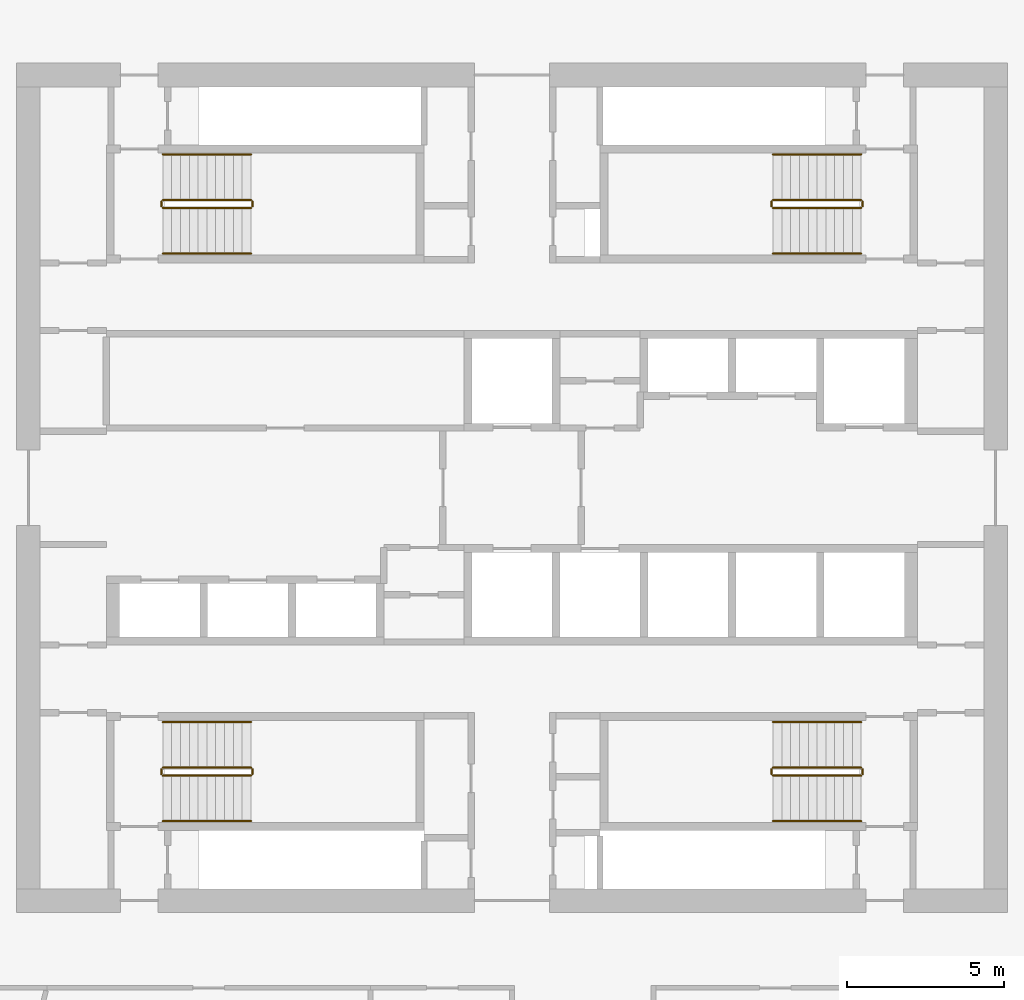
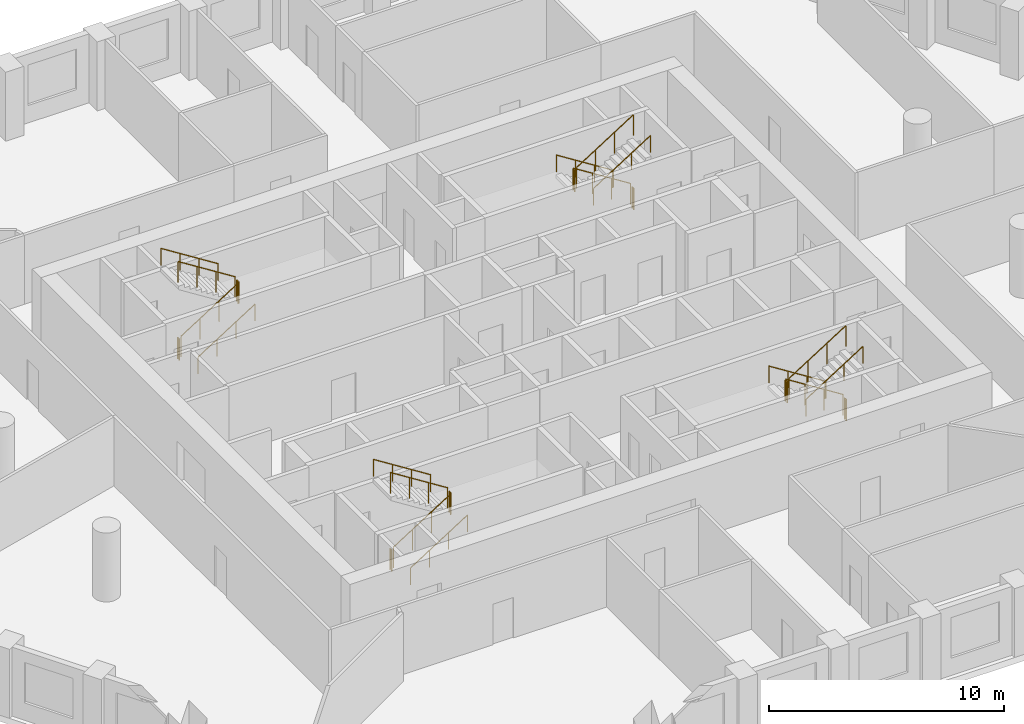
# One storey, part 9 of 9: 24 railings.
"""IFC4 building model written with IfcOpenShell, lengths in metres."""

from ifc_helpers import new_model, si_unit, direction, frame, origin, origin_2d, place, context, subcontext, project, spatial, circle, extrude, material, type_object, element, save


model = new_model("IFC4")

# Units and contexts
model_context = context("Model", 3, precision=1e-05, world=origin(), true_north=direction((0.0, 1.0)))
body_context = subcontext(model_context, "Body", "Model", "MODEL_VIEW")
ifc_project = project(units=[si_unit("LENGTHUNIT", "METRE"), si_unit("AREAUNIT", "SQUARE_METRE"), si_unit("VOLUMEUNIT", "CUBIC_METRE"), si_unit("PLANEANGLEUNIT", "RADIAN"), si_unit("MASSUNIT", "GRAM", prefix="KILO")], contexts=[model_context])

# Site, building, storey
site_placement = place(None, origin())
site = spatial("IfcSite", under=ifc_project, at=site_placement, CompositionType="ELEMENT")
building_placement = place(site_placement, origin())
building = spatial("IfcBuilding", under=site, at=building_placement, Name="Dhurran Vertical Campus", CompositionType="ELEMENT")
storey_placement = place(building_placement, frame((0.0, 0.0, 171.60009765625)))
storey = spatial("IfcBuildingStorey", under=building, at=storey_placement, Name="L42", CompositionType="ELEMENT", Elevation=171.60009765625)

# Railings
ifc_material_1 = material(Name="Stainless steel balustrade", Category="steel")
railing_type_1 = type_object("IfcRailingType", Name="co-RL-GUARD-1100", PredefinedType="GUARDRAIL", material=ifc_material_1)
railing_1_placement = place(storey_placement, frame((-11.10009765625, 8.89990234375, 0.17724609375)))
element("IfcRailing", 1, at=railing_1_placement, inside=storey, type_object=railing_type_1, Name="L42 ST1 stair guard 1", PredefinedType="GUARDRAIL", context=body_context, shape_type="SweptSolid", body=[
    extrude(circle(Radius=0.02392578125, at=origin_2d()), frame((0.0, 0.0, 1.076171875), z_axis=(0.844908973607, 0.0, 0.534910110503), x_axis=(0.0, 1.0, 0.0)), (0.0, 0.0, 1.0), 3.31396484375),
    extrude(circle(Radius=0.02099609375, at=origin_2d()), origin(), (0.0, 0.0, 1.0), 1.052001953125),
    extrude(circle(Radius=0.02099609375, at=origin_2d()), frame((0.933349609375, 0.0, 0.5908203125)), (0.0, 0.0, 1.0), 1.052001953125),
    extrude(circle(Radius=0.02099609375, at=origin_2d()), frame((1.86669921875, 0.0, 1.181884765625)), (0.0, 0.0, 1.0), 1.052001953125),
    extrude(circle(Radius=0.02099609375, at=origin_2d()), frame((2.800048828125, 0.0, 1.772705078125)), (0.0, 0.0, 1.0), 1.052001953125),
])
railing_2_placement = place(storey_placement, frame((-8.25, 8.949951171875, 1.949951171875)))
element("IfcRailing", 2, at=railing_2_placement, inside=storey, type_object=railing_type_1, Name="L42 ST1 stair guard 2", PredefinedType="GUARDRAIL", context=body_context, shape_type="SweptSolid", body=[
    extrude(circle(Radius=0.02392578125, at=origin_2d()), frame((0.0, 0.0, 1.076171875), z_axis=(0.0, 1.0, 0.0), x_axis=(-1.0, 0.0, 0.0)), (0.0, 0.0, 1.0), 0.150146484375),
    extrude(circle(Radius=0.02099609375, at=origin_2d()), origin(), (0.0, 0.0, 1.0), 1.052001953125),
    extrude(circle(Radius=0.02099609375, at=origin_2d()), frame((0.0, 0.150146484375, 0.0)), (0.0, 0.0, 1.0), 1.052001953125),
])
railing_3_placement = place(storey_placement, frame((-8.300048828125, 9.14990234375, 2.127197265625)))
element("IfcRailing", 3, at=railing_3_placement, inside=storey, type_object=railing_type_1, Name="L42 ST1 stair guard 3", PredefinedType="GUARDRAIL", context=body_context, shape_type="SweptSolid", body=[
    extrude(circle(Radius=0.02392578125, at=origin_2d()), frame((0.0, 0.0, 1.076171875), z_axis=(-0.844908973607, 0.0, 0.534910110503), x_axis=(0.0, -1.0, 0.0)), (0.0, 0.0, 1.0), 3.31396484375),
    extrude(circle(Radius=0.02099609375, at=origin_2d()), origin(), (0.0, 0.0, 1.0), 1.052001953125),
    extrude(circle(Radius=0.02099609375, at=origin_2d()), frame((-0.933349609375, 0.0, 0.5908203125)), (0.0, 0.0, 1.0), 1.052001953125),
    extrude(circle(Radius=0.02099609375, at=origin_2d()), frame((-1.86669921875, 0.0, 1.181884765625)), (0.0, 0.0, 1.0), 1.052001953125),
    extrude(circle(Radius=0.02099609375, at=origin_2d()), frame((-2.800048828125, 0.0, 1.772705078125)), (0.0, 0.0, 1.0), 1.052001953125),
])
railing_4_placement = place(storey_placement, frame((-11.14990234375, 8.949951171875, 0.0)))
element("IfcRailing", 4, at=railing_4_placement, inside=storey, type_object=railing_type_1, Name="L42 ST1 stair guard 4", PredefinedType="GUARDRAIL", context=body_context, shape_type="SweptSolid", body=[
    extrude(circle(Radius=0.02392578125, at=origin_2d()), frame((0.0, 0.0, 1.076171875), z_axis=(0.0, 1.0, 0.0), x_axis=(-1.0, 0.0, 0.0)), (0.0, 0.0, 1.0), 0.150146484375),
    extrude(circle(Radius=0.02099609375, at=origin_2d()), origin(), (0.0, 0.0, 1.0), 1.052001953125),
    extrude(circle(Radius=0.02099609375, at=origin_2d()), frame((0.0, 0.150146484375, 0.0)), (0.0, 0.0, 1.0), 1.052001953125),
])
railing_5_placement = place(storey_placement, frame((11.10009765625, 9.14990234375, 0.17724609375)))
element("IfcRailing", 5, at=railing_5_placement, inside=storey, type_object=railing_type_1, Name="L42 ST2 stair guard 1", PredefinedType="GUARDRAIL", context=body_context, shape_type="SweptSolid", body=[
    extrude(circle(Radius=0.02392578125, at=origin_2d()), frame((0.0, 0.0, 1.076171875), z_axis=(-0.844908973607, 0.0, 0.534910110503), x_axis=(0.0, -1.0, 0.0)), (0.0, 0.0, 1.0), 3.31396484375),
    extrude(circle(Radius=0.02099609375, at=origin_2d()), origin(), (0.0, 0.0, 1.0), 1.052001953125),
    extrude(circle(Radius=0.02099609375, at=origin_2d()), frame((-0.933349609375, 0.0, 0.5908203125)), (0.0, 0.0, 1.0), 1.052001953125),
    extrude(circle(Radius=0.02099609375, at=origin_2d()), frame((-1.86669921875, 0.0, 1.181884765625)), (0.0, 0.0, 1.0), 1.052001953125),
    extrude(circle(Radius=0.02099609375, at=origin_2d()), frame((-2.800048828125, 0.0, 1.772705078125)), (0.0, 0.0, 1.0), 1.052001953125),
])
railing_6_placement = place(storey_placement, frame((8.25, 9.10009765625, 1.949951171875)))
element("IfcRailing", 6, at=railing_6_placement, inside=storey, type_object=railing_type_1, Name="L42 ST2 stair guard 2", PredefinedType="GUARDRAIL", context=body_context, shape_type="SweptSolid", body=[
    extrude(circle(Radius=0.02392578125, at=origin_2d()), frame((0.0, 0.0, 1.076171875), z_axis=(0.0, -1.0, 0.0), x_axis=(1.0, 0.0, 0.0)), (0.0, 0.0, 1.0), 0.150146484375),
    extrude(circle(Radius=0.02099609375, at=origin_2d()), origin(), (0.0, 0.0, 1.0), 1.052001953125),
    extrude(circle(Radius=0.02099609375, at=origin_2d()), frame((0.0, -0.150146484375, 0.0)), (0.0, 0.0, 1.0), 1.052001953125),
])
railing_7_placement = place(storey_placement, frame((8.300048828125, 8.89990234375, 2.127197265625)))
element("IfcRailing", 7, at=railing_7_placement, inside=storey, type_object=railing_type_1, Name="L42 ST2 stair guard 3", PredefinedType="GUARDRAIL", context=body_context, shape_type="SweptSolid", body=[
    extrude(circle(Radius=0.02392578125, at=origin_2d()), frame((0.0, 0.0, 1.076171875), z_axis=(0.844908973607, 0.0, 0.534910110503), x_axis=(0.0, 1.0, 0.0)), (0.0, 0.0, 1.0), 3.31396484375),
    extrude(circle(Radius=0.02099609375, at=origin_2d()), origin(), (0.0, 0.0, 1.0), 1.052001953125),
    extrude(circle(Radius=0.02099609375, at=origin_2d()), frame((0.933349609375, 0.0, 0.5908203125)), (0.0, 0.0, 1.0), 1.052001953125),
    extrude(circle(Radius=0.02099609375, at=origin_2d()), frame((1.86669921875, 0.0, 1.181884765625)), (0.0, 0.0, 1.0), 1.052001953125),
    extrude(circle(Radius=0.02099609375, at=origin_2d()), frame((2.800048828125, 0.0, 1.772705078125)), (0.0, 0.0, 1.0), 1.052001953125),
])
railing_8_placement = place(storey_placement, frame((11.14990234375, 9.10009765625, 0.0)))
element("IfcRailing", 8, at=railing_8_placement, inside=storey, type_object=railing_type_1, Name="L42 ST2 stair guard 4", PredefinedType="GUARDRAIL", context=body_context, shape_type="SweptSolid", body=[
    extrude(circle(Radius=0.02392578125, at=origin_2d()), frame((0.0, 0.0, 1.076171875), z_axis=(0.0, -1.0, 0.0), x_axis=(1.0, 0.0, 0.0)), (0.0, 0.0, 1.0), 0.150146484375),
    extrude(circle(Radius=0.02099609375, at=origin_2d()), origin(), (0.0, 0.0, 1.0), 1.052001953125),
    extrude(circle(Radius=0.02099609375, at=origin_2d()), frame((0.0, -0.150146484375, 0.0)), (0.0, 0.0, 1.0), 1.052001953125),
])
railing_9_placement = place(storey_placement, frame((-11.10009765625, -9.14990234375, 0.17724609375)))
element("IfcRailing", 9, at=railing_9_placement, inside=storey, type_object=railing_type_1, Name="L42 ST3 stair guard 1", PredefinedType="GUARDRAIL", context=body_context, shape_type="SweptSolid", body=[
    extrude(circle(Radius=0.02392578125, at=origin_2d()), frame((0.0, 0.0, 1.076171875), z_axis=(0.844908973607, 0.0, 0.534910110503), x_axis=(0.0, 1.0, 0.0)), (0.0, 0.0, 1.0), 3.31396484375),
    extrude(circle(Radius=0.02099609375, at=origin_2d()), origin(), (0.0, 0.0, 1.0), 1.052001953125),
    extrude(circle(Radius=0.02099609375, at=origin_2d()), frame((0.933349609375, 0.0, 0.5908203125)), (0.0, 0.0, 1.0), 1.052001953125),
    extrude(circle(Radius=0.02099609375, at=origin_2d()), frame((1.86669921875, 0.0, 1.181884765625)), (0.0, 0.0, 1.0), 1.052001953125),
    extrude(circle(Radius=0.02099609375, at=origin_2d()), frame((2.800048828125, 0.0, 1.772705078125)), (0.0, 0.0, 1.0), 1.052001953125),
])
railing_10_placement = place(storey_placement, frame((-8.25, -9.10009765625, 1.949951171875)))
element("IfcRailing", 10, at=railing_10_placement, inside=storey, type_object=railing_type_1, Name="L42 ST3 stair guard 2", PredefinedType="GUARDRAIL", context=body_context, shape_type="SweptSolid", body=[
    extrude(circle(Radius=0.02392578125, at=origin_2d()), frame((0.0, 0.0, 1.076171875), z_axis=(0.0, 1.0, 0.0), x_axis=(-1.0, 0.0, 0.0)), (0.0, 0.0, 1.0), 0.150146484375),
    extrude(circle(Radius=0.02099609375, at=origin_2d()), origin(), (0.0, 0.0, 1.0), 1.052001953125),
    extrude(circle(Radius=0.02099609375, at=origin_2d()), frame((0.0, 0.150146484375, 0.0)), (0.0, 0.0, 1.0), 1.052001953125),
])
railing_11_placement = place(storey_placement, frame((-8.300048828125, -8.89990234375, 2.127197265625)))
element("IfcRailing", 11, at=railing_11_placement, inside=storey, type_object=railing_type_1, Name="L42 ST3 stair guard 3", PredefinedType="GUARDRAIL", context=body_context, shape_type="SweptSolid", body=[
    extrude(circle(Radius=0.02392578125, at=origin_2d()), frame((0.0, 0.0, 1.076171875), z_axis=(-0.844908973607, 0.0, 0.534910110503), x_axis=(0.0, -1.0, 0.0)), (0.0, 0.0, 1.0), 3.31396484375),
    extrude(circle(Radius=0.02099609375, at=origin_2d()), origin(), (0.0, 0.0, 1.0), 1.052001953125),
    extrude(circle(Radius=0.02099609375, at=origin_2d()), frame((-0.933349609375, 0.0, 0.5908203125)), (0.0, 0.0, 1.0), 1.052001953125),
    extrude(circle(Radius=0.02099609375, at=origin_2d()), frame((-1.86669921875, 0.0, 1.181884765625)), (0.0, 0.0, 1.0), 1.052001953125),
    extrude(circle(Radius=0.02099609375, at=origin_2d()), frame((-2.800048828125, 0.0, 1.772705078125)), (0.0, 0.0, 1.0), 1.052001953125),
])
railing_12_placement = place(storey_placement, frame((-11.14990234375, -9.10009765625, 0.0)))
element("IfcRailing", 12, at=railing_12_placement, inside=storey, type_object=railing_type_1, Name="L42 ST3 stair guard 4", PredefinedType="GUARDRAIL", context=body_context, shape_type="SweptSolid", body=[
    extrude(circle(Radius=0.02392578125, at=origin_2d()), frame((0.0, 0.0, 1.076171875), z_axis=(0.0, 1.0, 0.0), x_axis=(-1.0, 0.0, 0.0)), (0.0, 0.0, 1.0), 0.150146484375),
    extrude(circle(Radius=0.02099609375, at=origin_2d()), origin(), (0.0, 0.0, 1.0), 1.052001953125),
    extrude(circle(Radius=0.02099609375, at=origin_2d()), frame((0.0, 0.150146484375, 0.0)), (0.0, 0.0, 1.0), 1.052001953125),
])
railing_13_placement = place(storey_placement, frame((11.10009765625, -8.89990234375, 0.17724609375)))
element("IfcRailing", 13, at=railing_13_placement, inside=storey, type_object=railing_type_1, Name="L42 ST4 stair guard 1", PredefinedType="GUARDRAIL", context=body_context, shape_type="SweptSolid", body=[
    extrude(circle(Radius=0.02392578125, at=origin_2d()), frame((0.0, 0.0, 1.076171875), z_axis=(-0.844908973607, 0.0, 0.534910110503), x_axis=(0.0, -1.0, 0.0)), (0.0, 0.0, 1.0), 3.31396484375),
    extrude(circle(Radius=0.02099609375, at=origin_2d()), origin(), (0.0, 0.0, 1.0), 1.052001953125),
    extrude(circle(Radius=0.02099609375, at=origin_2d()), frame((-0.933349609375, 0.0, 0.5908203125)), (0.0, 0.0, 1.0), 1.052001953125),
    extrude(circle(Radius=0.02099609375, at=origin_2d()), frame((-1.86669921875, 0.0, 1.181884765625)), (0.0, 0.0, 1.0), 1.052001953125),
    extrude(circle(Radius=0.02099609375, at=origin_2d()), frame((-2.800048828125, 0.0, 1.772705078125)), (0.0, 0.0, 1.0), 1.052001953125),
])
railing_14_placement = place(storey_placement, frame((8.25, -8.949951171875, 1.949951171875)))
element("IfcRailing", 14, at=railing_14_placement, inside=storey, type_object=railing_type_1, Name="L42 ST4 stair guard 2", PredefinedType="GUARDRAIL", context=body_context, shape_type="SweptSolid", body=[
    extrude(circle(Radius=0.02392578125, at=origin_2d()), frame((0.0, 0.0, 1.076171875), z_axis=(0.0, -1.0, 0.0), x_axis=(1.0, 0.0, 0.0)), (0.0, 0.0, 1.0), 0.150146484375),
    extrude(circle(Radius=0.02099609375, at=origin_2d()), origin(), (0.0, 0.0, 1.0), 1.052001953125),
    extrude(circle(Radius=0.02099609375, at=origin_2d()), frame((0.0, -0.150146484375, 0.0)), (0.0, 0.0, 1.0), 1.052001953125),
])
railing_15_placement = place(storey_placement, frame((8.300048828125, -9.14990234375, 2.127197265625)))
element("IfcRailing", 15, at=railing_15_placement, inside=storey, type_object=railing_type_1, Name="L42 ST4 stair guard 3", PredefinedType="GUARDRAIL", context=body_context, shape_type="SweptSolid", body=[
    extrude(circle(Radius=0.02392578125, at=origin_2d()), frame((0.0, 0.0, 1.076171875), z_axis=(0.844908973607, 0.0, 0.534910110503), x_axis=(0.0, 1.0, 0.0)), (0.0, 0.0, 1.0), 3.31396484375),
    extrude(circle(Radius=0.02099609375, at=origin_2d()), origin(), (0.0, 0.0, 1.0), 1.052001953125),
    extrude(circle(Radius=0.02099609375, at=origin_2d()), frame((0.933349609375, 0.0, 0.5908203125)), (0.0, 0.0, 1.0), 1.052001953125),
    extrude(circle(Radius=0.02099609375, at=origin_2d()), frame((1.86669921875, 0.0, 1.181884765625)), (0.0, 0.0, 1.0), 1.052001953125),
    extrude(circle(Radius=0.02099609375, at=origin_2d()), frame((2.800048828125, 0.0, 1.772705078125)), (0.0, 0.0, 1.0), 1.052001953125),
])
railing_16_placement = place(storey_placement, frame((11.14990234375, -8.949951171875, 0.0)))
element("IfcRailing", 16, at=railing_16_placement, inside=storey, type_object=railing_type_1, Name="L42 ST4 stair guard 4", PredefinedType="GUARDRAIL", context=body_context, shape_type="SweptSolid", body=[
    extrude(circle(Radius=0.02392578125, at=origin_2d()), frame((0.0, 0.0, 1.076171875), z_axis=(0.0, -1.0, 0.0), x_axis=(1.0, 0.0, 0.0)), (0.0, 0.0, 1.0), 0.150146484375),
    extrude(circle(Radius=0.02099609375, at=origin_2d()), origin(), (0.0, 0.0, 1.0), 1.052001953125),
    extrude(circle(Radius=0.02099609375, at=origin_2d()), frame((0.0, -0.150146484375, 0.0)), (0.0, 0.0, 1.0), 1.052001953125),
])
ifc_material_2 = material(Name="Stainless steel handrail", Category="steel")
railing_type_2 = type_object("IfcRailingType", Name="co-RL-HANDRAIL-900", PredefinedType="HANDRAIL", material=ifc_material_2)
railing_17_placement = place(storey_placement, frame((-11.10009765625, 7.449951171875, 0.17724609375)))
element("IfcRailing", 17, at=railing_17_placement, inside=storey, type_object=railing_type_2, Name="L42 ST1 stair handrail 1", PredefinedType="HANDRAIL", context=body_context, shape_type="SweptSolid", body=[
    extrude(circle(Radius=0.02392578125, at=origin_2d()), frame((0.0, 0.0, 0.8759765625), z_axis=(0.844908973607, 0.0, 0.534910110503), x_axis=(0.0, 1.0, 0.0)), (0.0, 0.0, 1.0), 3.31396484375),
    extrude(circle(Radius=0.02099609375, at=origin_2d()), origin(), (0.0, 0.0, 1.0), 0.851806640625),
    extrude(circle(Radius=0.02099609375, at=origin_2d()), frame((0.933349609375, 0.0, 0.5908203125)), (0.0, 0.0, 1.0), 0.851806640625),
    extrude(circle(Radius=0.02099609375, at=origin_2d()), frame((1.86669921875, 0.0, 1.181884765625)), (0.0, 0.0, 1.0), 0.851806640625),
    extrude(circle(Radius=0.02099609375, at=origin_2d()), frame((2.800048828125, 0.0, 1.772705078125)), (0.0, 0.0, 1.0), 0.851806640625),
])
for number, where, name in (
    (18, (-8.300048828125, 10.60009765625, 2.127197265625), "L42 ST1 stair handrail 2"),
    (19, (11.10009765625, 10.60009765625, 0.17724609375), "L42 ST2 stair handrail 1"),
):
    element("IfcRailing", number, at=place(storey_placement, frame(where)), inside=storey, type_object=railing_type_2, Name=name, PredefinedType="HANDRAIL", context=body_context, shape_type="SweptSolid", body=[
        extrude(circle(Radius=0.02392578125, at=origin_2d()), frame((0.0, 0.0, 0.8759765625), z_axis=(-0.844908973607, 0.0, 0.534910110503), x_axis=(0.0, -1.0, 0.0)), (0.0, 0.0, 1.0), 3.31396484375),
        extrude(circle(Radius=0.02099609375, at=origin_2d()), origin(), (0.0, 0.0, 1.0), 0.851806640625),
        extrude(circle(Radius=0.02099609375, at=origin_2d()), frame((-0.933349609375, 0.0, 0.5908203125)), (0.0, 0.0, 1.0), 0.851806640625),
        extrude(circle(Radius=0.02099609375, at=origin_2d()), frame((-1.86669921875, 0.0, 1.181884765625)), (0.0, 0.0, 1.0), 0.851806640625),
        extrude(circle(Radius=0.02099609375, at=origin_2d()), frame((-2.800048828125, 0.0, 1.772705078125)), (0.0, 0.0, 1.0), 0.851806640625),
    ])
for number, where, name in (
    (20, (8.300048828125, 7.449951171875, 2.127197265625), "L42 ST2 stair handrail 2"),
    (21, (-11.10009765625, -10.60009765625, 0.17724609375), "L42 ST3 stair handrail 1"),
):
    element("IfcRailing", number, at=place(storey_placement, frame(where)), inside=storey, type_object=railing_type_2, Name=name, PredefinedType="HANDRAIL", context=body_context, shape_type="SweptSolid", body=[
        extrude(circle(Radius=0.02392578125, at=origin_2d()), frame((0.0, 0.0, 0.8759765625), z_axis=(0.844908973607, 0.0, 0.534910110503), x_axis=(0.0, 1.0, 0.0)), (0.0, 0.0, 1.0), 3.31396484375),
        extrude(circle(Radius=0.02099609375, at=origin_2d()), origin(), (0.0, 0.0, 1.0), 0.851806640625),
        extrude(circle(Radius=0.02099609375, at=origin_2d()), frame((0.933349609375, 0.0, 0.5908203125)), (0.0, 0.0, 1.0), 0.851806640625),
        extrude(circle(Radius=0.02099609375, at=origin_2d()), frame((1.86669921875, 0.0, 1.181884765625)), (0.0, 0.0, 1.0), 0.851806640625),
        extrude(circle(Radius=0.02099609375, at=origin_2d()), frame((2.800048828125, 0.0, 1.772705078125)), (0.0, 0.0, 1.0), 0.851806640625),
    ])
for number, where, name in (
    (22, (-8.300048828125, -7.449951171875, 2.127197265625), "L42 ST3 stair handrail 2"),
    (23, (11.10009765625, -7.449951171875, 0.17724609375), "L42 ST4 stair handrail 1"),
):
    element("IfcRailing", number, at=place(storey_placement, frame(where)), inside=storey, type_object=railing_type_2, Name=name, PredefinedType="HANDRAIL", context=body_context, shape_type="SweptSolid", body=[
        extrude(circle(Radius=0.02392578125, at=origin_2d()), frame((0.0, 0.0, 0.8759765625), z_axis=(-0.844908973607, 0.0, 0.534910110503), x_axis=(0.0, -1.0, 0.0)), (0.0, 0.0, 1.0), 3.31396484375),
        extrude(circle(Radius=0.02099609375, at=origin_2d()), origin(), (0.0, 0.0, 1.0), 0.851806640625),
        extrude(circle(Radius=0.02099609375, at=origin_2d()), frame((-0.933349609375, 0.0, 0.5908203125)), (0.0, 0.0, 1.0), 0.851806640625),
        extrude(circle(Radius=0.02099609375, at=origin_2d()), frame((-1.86669921875, 0.0, 1.181884765625)), (0.0, 0.0, 1.0), 0.851806640625),
        extrude(circle(Radius=0.02099609375, at=origin_2d()), frame((-2.800048828125, 0.0, 1.772705078125)), (0.0, 0.0, 1.0), 0.851806640625),
    ])
railing_18_placement = place(storey_placement, frame((8.300048828125, -10.60009765625, 2.127197265625)))
element("IfcRailing", 24, at=railing_18_placement, inside=storey, type_object=railing_type_2, Name="L42 ST4 stair handrail 2", PredefinedType="HANDRAIL", context=body_context, shape_type="SweptSolid", body=[
    extrude(circle(Radius=0.02392578125, at=origin_2d()), frame((0.0, 0.0, 0.8759765625), z_axis=(0.844908973607, 0.0, 0.534910110503), x_axis=(0.0, 1.0, 0.0)), (0.0, 0.0, 1.0), 3.31396484375),
    extrude(circle(Radius=0.02099609375, at=origin_2d()), origin(), (0.0, 0.0, 1.0), 0.851806640625),
    extrude(circle(Radius=0.02099609375, at=origin_2d()), frame((0.933349609375, 0.0, 0.5908203125)), (0.0, 0.0, 1.0), 0.851806640625),
    extrude(circle(Radius=0.02099609375, at=origin_2d()), frame((1.86669921875, 0.0, 1.181884765625)), (0.0, 0.0, 1.0), 0.851806640625),
    extrude(circle(Radius=0.02099609375, at=origin_2d()), frame((2.800048828125, 0.0, 1.772705078125)), (0.0, 0.0, 1.0), 0.851806640625),
])

save(model, "model.ifc")
